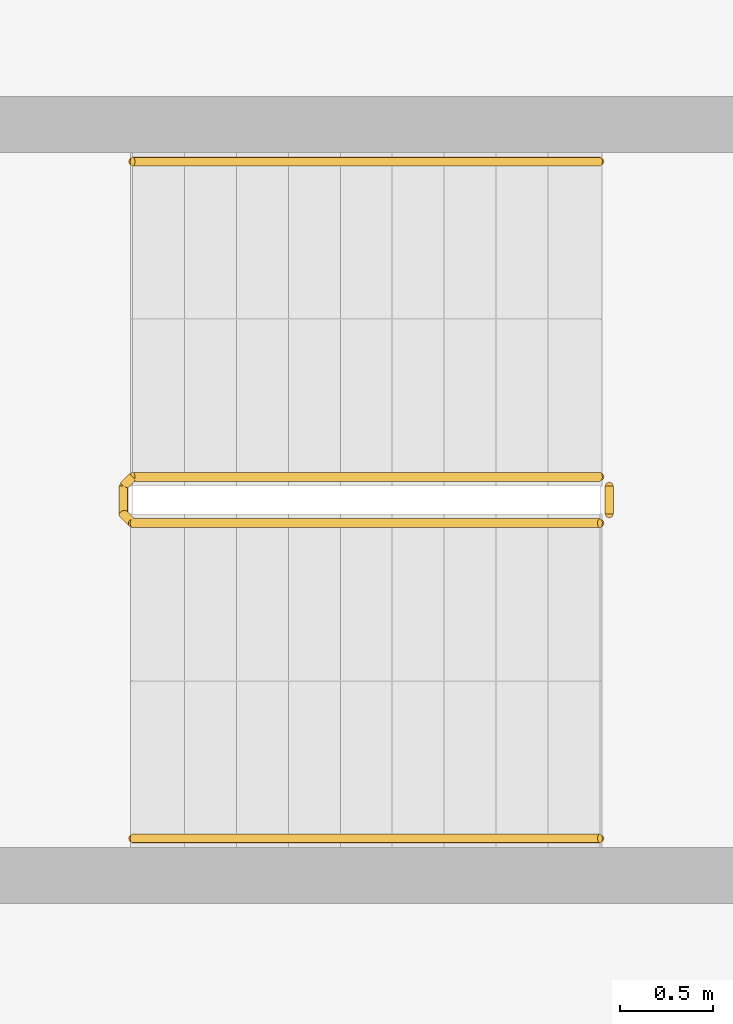
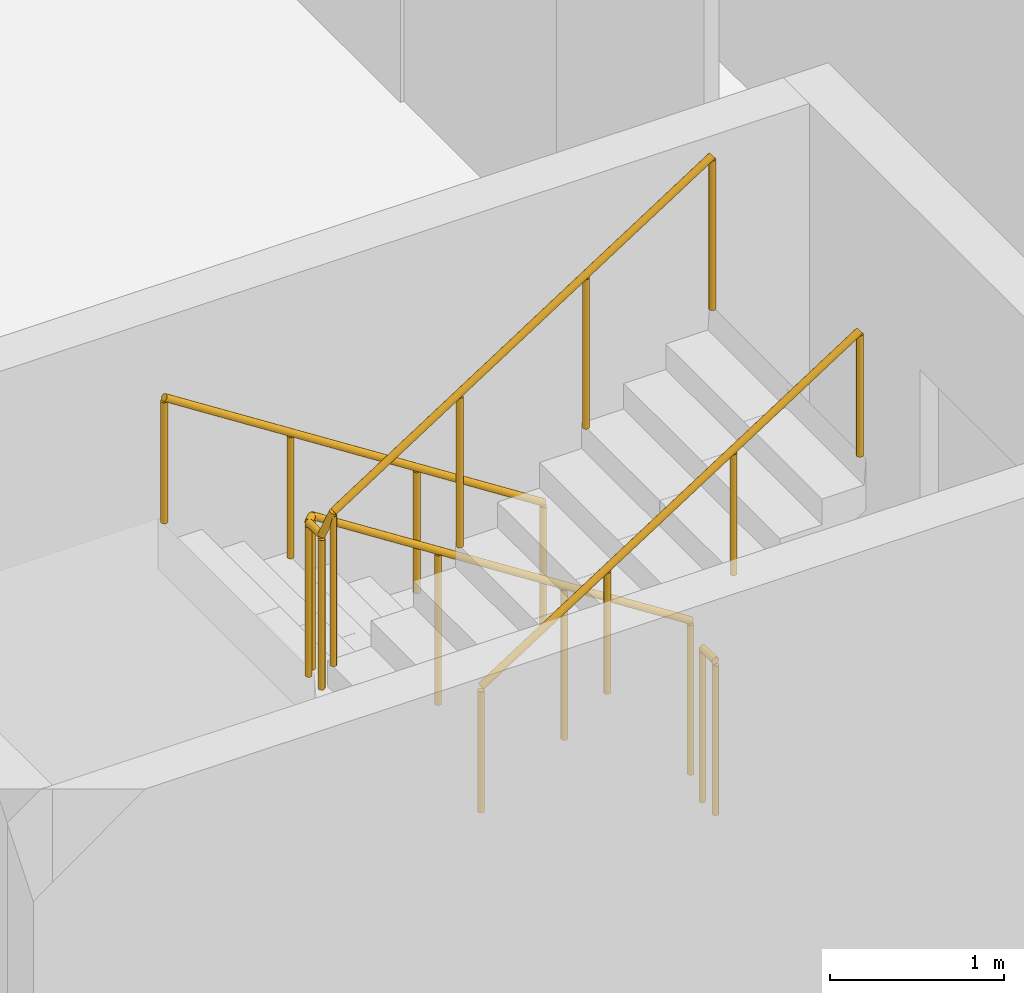
# One storey, part 24 of 27: 4 railings.
"""IFC4 building model written with IfcOpenShell, lengths in metres."""

from ifc_helpers import new_model, si_unit, direction, frame, origin, origin_2d, place, context, subcontext, project, spatial, circle, extrude, material, type_object, element, save


model = new_model("IFC4")

# Units and contexts
model_context = context("Model", 3, precision=1e-05, world=origin(), true_north=direction((0.0, 1.0)))
body_context = subcontext(model_context, "Body", "Model", "MODEL_VIEW")
ifc_project = project(units=[si_unit("LENGTHUNIT", "METRE"), si_unit("AREAUNIT", "SQUARE_METRE"), si_unit("VOLUMEUNIT", "CUBIC_METRE"), si_unit("PLANEANGLEUNIT", "RADIAN"), si_unit("MASSUNIT", "GRAM", prefix="KILO")], contexts=[model_context])

# Site, building, storey
site_placement = place(None, origin())
site = spatial("IfcSite", under=ifc_project, at=site_placement, CompositionType="ELEMENT")
building_placement = place(site_placement, origin())
building = spatial("IfcBuilding", under=site, at=building_placement, Name="Wharfspan Tower", CompositionType="ELEMENT")
storey_placement = place(building_placement, frame((0.0, 0.0, 73.899902)))
storey = spatial("IfcBuildingStorey", under=building, at=storey_placement, Name="L15", CompositionType="ELEMENT", Elevation=73.899902)

# Railings
ifc_material = material(Name="Steel S355J2", Category="steel")
railing_type_1 = type_object("IfcRailingType", Name="Stair guard 1100", PredefinedType="GUARDRAIL", material=ifc_material)
railing_1_placement = place(storey_placement, frame((6.899902, 22.625, 0.180176)))
element("IfcRailing", 1, at=railing_1_placement, inside=storey, type_object=railing_type_1, Name="L15 ST3 stair guard 1", PredefinedType="GUARDRAIL", context=body_context, shape_type="SweptSolid", body=[
    extrude(circle(Radius=0.023926, at=origin_2d()), frame((0.0, 0.0, 1.076172), z_axis=(-0.8412, 0.0, 0.540725), x_axis=(0.0, -1.0, 0.0)), (0.0, 0.0, 1.0), 2.99585),
    extrude(circle(Radius=0.023926, at=origin_2d()), frame((-2.52002, 0.0, 2.695801), z_axis=(-0.705376, -0.708834, 0.0), x_axis=(0.708834, -0.705376, 0.0)), (0.0, 0.0, 1.0), 0.070557),
    extrude(circle(Radius=0.023926, at=origin_2d()), frame((-2.569824, -0.050049, 2.695801), z_axis=(0.0, -1.0, 0.0), x_axis=(1.0, 0.0, 0.0)), (0.0, 0.0, 1.0), 0.149902),
    extrude(circle(Radius=0.023926, at=origin_2d()), frame((-2.569824, -0.199951, 2.695801), z_axis=(0.257669, -0.258932, 0.930892), x_axis=(0.708833, 0.705372, -1e-06)), (0.0, 0.0, 1.0), 0.193359),
    extrude(circle(Radius=0.023926, at=origin_2d()), frame((-2.52002, -0.25, 2.875977), z_axis=(0.841163, 0.0, 0.540782), x_axis=(0.0, 1.0, 0.0)), (0.0, 0.0, 1.0), 2.99585),
    extrude(circle(Radius=0.020996, at=origin_2d()), origin(), (0.0, 0.0, 1.0), 1.052002),
    extrude(circle(Radius=0.020996, at=origin_2d()), frame((-0.840088, 0.0, 0.540039)), (0.0, 0.0, 1.0), 1.052002),
    extrude(circle(Radius=0.020996, at=origin_2d()), frame((-1.679932, 0.0, 1.079834)), (0.0, 0.0, 1.0), 1.052002),
    extrude(circle(Radius=0.020996, at=origin_2d()), frame((-2.52002, 0.0, 1.619873)), (0.0, 0.0, 1.0), 1.052002),
    extrude(circle(Radius=0.020996, at=origin_2d()), frame((-2.569824, -0.050049, 1.619873)), (0.0, 0.0, 1.0), 1.052002),
    extrude(circle(Radius=0.020996, at=origin_2d()), frame((-2.569824, -0.199951, 1.619873)), (0.0, 0.0, 1.0), 1.052002),
    extrude(circle(Radius=0.020996, at=origin_2d()), frame((-2.52002, -0.25, 1.799805)), (0.0, 0.0, 1.0), 1.052002),
    extrude(circle(Radius=0.020996, at=origin_2d()), frame((-1.679932, -0.25, 2.339844)), (0.0, 0.0, 1.0), 1.052002),
    extrude(circle(Radius=0.020996, at=origin_2d()), frame((-0.840088, -0.25, 2.879883)), (0.0, 0.0, 1.0), 1.052002),
    extrude(circle(Radius=0.020996, at=origin_2d()), frame((0.0, -0.25, 3.419922)), (0.0, 0.0, 1.0), 1.052002),
])
railing_2_placement = place(storey_placement, frame((6.949951, 22.574951, 0.0)))
element("IfcRailing", 2, at=railing_2_placement, inside=storey, type_object=railing_type_1, Name="L15 ST3 stair guard 2", PredefinedType="GUARDRAIL", context=body_context, shape_type="SweptSolid", body=[
    extrude(circle(Radius=0.023926, at=origin_2d()), frame((0.0, 0.0, 1.076172), z_axis=(0.0, -1.0, 0.0), x_axis=(1.0, 0.0, 0.0)), (0.0, 0.0, 1.0), 0.149902),
    extrude(circle(Radius=0.020996, at=origin_2d()), origin(), (0.0, 0.0, 1.0), 1.052002),
    extrude(circle(Radius=0.020996, at=origin_2d()), frame((0.0, -0.149902, 0.0)), (0.0, 0.0, 1.0), 1.052002),
])
railing_type_2 = type_object("IfcRailingType", Name="Stair handrail 900", PredefinedType="HANDRAIL", material=ifc_material)
railing_3_placement = place(storey_placement, frame((6.899902, 24.324951, 0.180176)))
element("IfcRailing", 3, at=railing_3_placement, inside=storey, type_object=railing_type_2, Name="L15 ST3 stair handrail 1", PredefinedType="HANDRAIL", context=body_context, shape_type="SweptSolid", body=[
    extrude(circle(Radius=0.023926, at=origin_2d()), frame((0.0, 0.0, 0.875977), z_axis=(-0.8412, 0.0, 0.540725), x_axis=(0.0, -1.0, 0.0)), (0.0, 0.0, 1.0), 2.99585),
    extrude(circle(Radius=0.020996, at=origin_2d()), origin(), (0.0, 0.0, 1.0), 0.851807),
    extrude(circle(Radius=0.020996, at=origin_2d()), frame((-0.840088, 0.0, 0.540039)), (0.0, 0.0, 1.0), 0.851807),
    extrude(circle(Radius=0.020996, at=origin_2d()), frame((-1.679932, 0.0, 1.079834)), (0.0, 0.0, 1.0), 0.851807),
    extrude(circle(Radius=0.020996, at=origin_2d()), frame((-2.52002, 0.0, 1.619873)), (0.0, 0.0, 1.0), 0.851807),
])
railing_4_placement = place(storey_placement, frame((4.379883, 20.675049, 1.97998)))
element("IfcRailing", 4, at=railing_4_placement, inside=storey, type_object=railing_type_2, Name="L15 ST3 stair handrail 2", PredefinedType="HANDRAIL", context=body_context, shape_type="SweptSolid", body=[
    extrude(circle(Radius=0.023926, at=origin_2d()), frame((0.0, 0.0, 0.875977), z_axis=(0.841163, 0.0, 0.540782), x_axis=(0.0, 1.0, 0.0)), (0.0, 0.0, 1.0), 2.99585),
    extrude(circle(Radius=0.020996, at=origin_2d()), origin(), (0.0, 0.0, 1.0), 0.851807),
    extrude(circle(Radius=0.020996, at=origin_2d()), frame((0.840088, 0.0, 0.540039)), (0.0, 0.0, 1.0), 0.851807),
    extrude(circle(Radius=0.020996, at=origin_2d()), frame((1.679932, 0.0, 1.080078)), (0.0, 0.0, 1.0), 0.851807),
    extrude(circle(Radius=0.020996, at=origin_2d()), frame((2.52002, 0.0, 1.620117)), (0.0, 0.0, 1.0), 0.851807),
])

save(model, "model.ifc")
